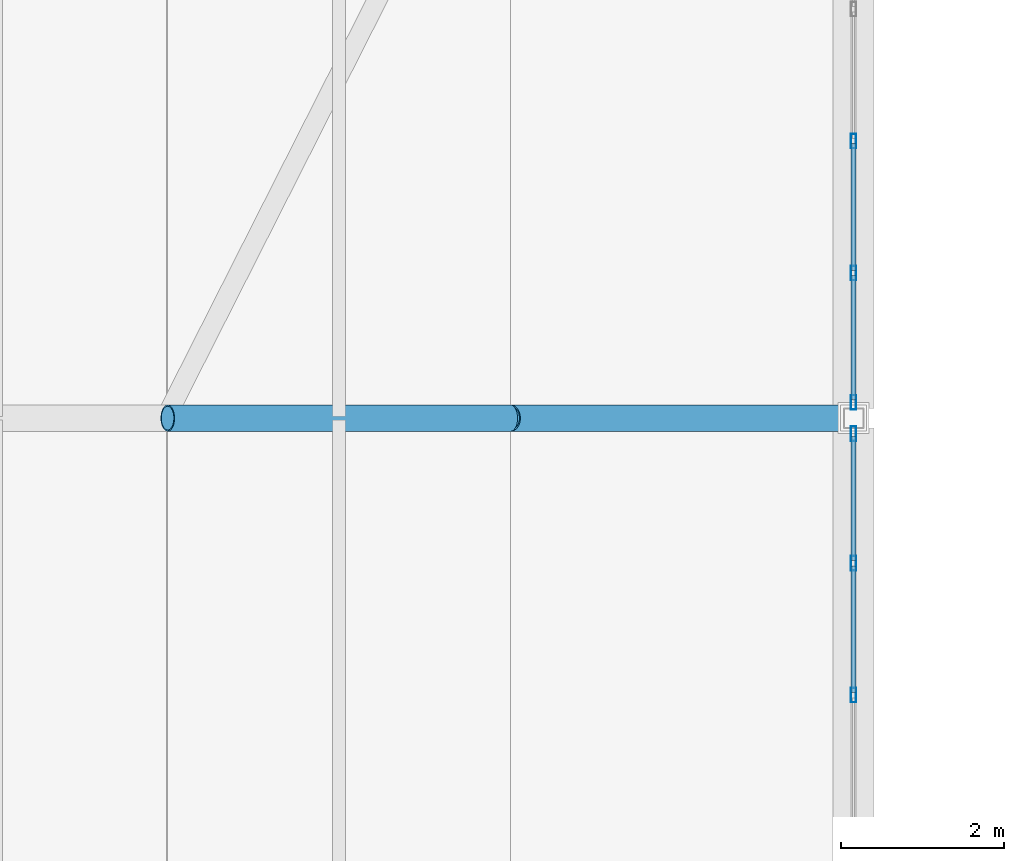
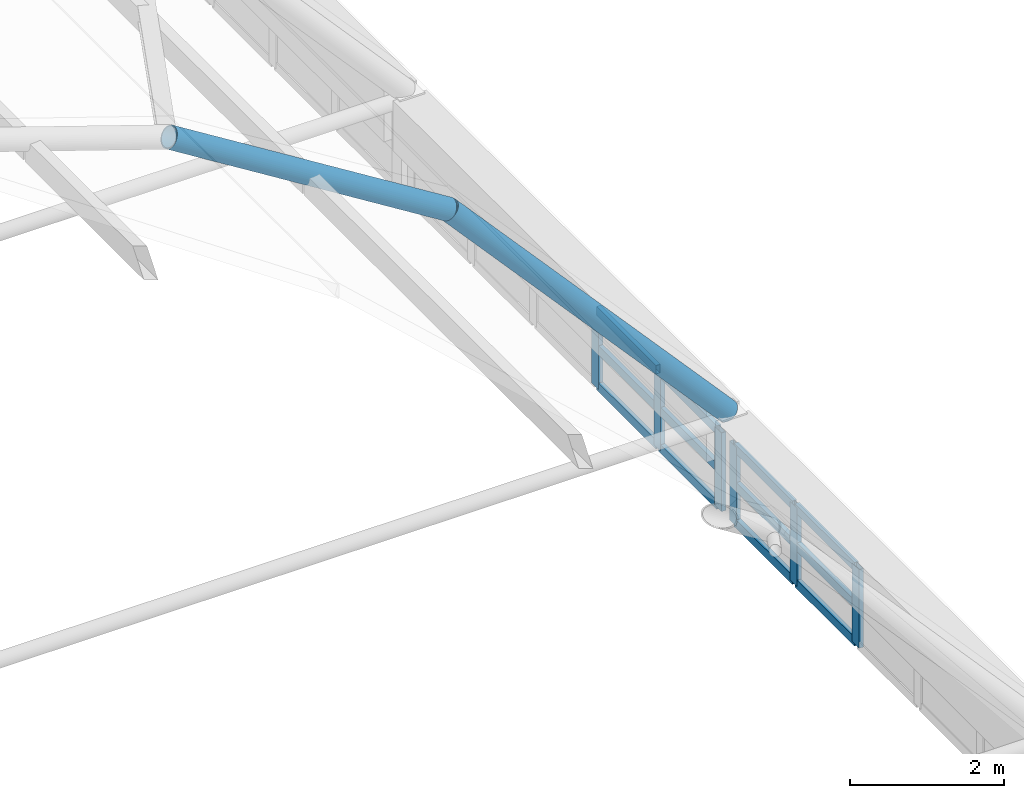
# One storey, part 67 of 114: 18 members, 2 beams, 2 elements without a shape of their own.
"""IFC4 building model written with IfcOpenShell, lengths in metres."""

from ifc_helpers import new_model, si_unit, direction, frame, origin, origin_2d, place, context, subcontext, project, spatial, hollow_rectangle, hollow_circle, extrude, material, layer, layer_set, material_profile, profile_set, type_object, element, aggregate, save


model = new_model("IFC4")

# Units and contexts
model_context = context("Model", 3, precision=1e-05, world=origin(), true_north=direction((0.0, 1.0)))
body_context = subcontext(model_context, "Body", "Model", "MODEL_VIEW")
ifc_project = project(units=[si_unit("LENGTHUNIT", "METRE"), si_unit("AREAUNIT", "SQUARE_METRE"), si_unit("VOLUMEUNIT", "CUBIC_METRE"), si_unit("PLANEANGLEUNIT", "RADIAN"), si_unit("MASSUNIT", "GRAM", prefix="KILO")], contexts=[model_context])

# Site, building, storey
site_placement = place(None, origin())
site = spatial("IfcSite", under=ifc_project, at=site_placement, CompositionType="ELEMENT")
building_placement = place(site_placement, origin())
building = spatial("IfcBuilding", under=site, at=building_placement, Name="Xazarin Passage Department Store", CompositionType="ELEMENT")
storey_placement = place(building_placement, frame((0.0, 0.0, 14.39990234375)))
storey = spatial("IfcBuildingStorey", under=building, at=storey_placement, Name="L03", CompositionType="ELEMENT", Elevation=14.39990234375)

# Curtain wall, members
ifc_material_1 = material(Name="Bronze anodised aluminium", Category="aluminium")
ifc_layer = layer(ifc_material_1, 0.159912109375)
ifc_layer_set = layer_set([ifc_layer], Name="Bronze anodised aluminium")
curtain_wall_type = type_object("IfcCurtainWallType", Name="ARC-CW-ARC1", PredefinedType="NOTDEFINED", material=ifc_layer_set)
curtain_wall_1_placement = place(storey_placement, origin())
curtain_wall_1 = element("IfcCurtainWall", 1, at=curtain_wall_1_placement, inside=storey, type_object=curtain_wall_type, Name="L03 V2N Galleria Clerestory Curtain Wall 2E", PredefinedType="NOTDEFINED")
ifc_material_profile_1 = material_profile(ifc_material_1, hollow_rectangle(XDim=0.06494140625, YDim=0.179931640625, WallThickness=0.00390625, at=origin_2d()), Name="ALU 65x180")
ifc_profile_set_1 = profile_set([ifc_material_profile_1], Name="Bronze anodised aluminium")
member_type_1 = type_object("IfcMemberType", Name="ARC-CWM-65x180", PredefinedType="MULLION", material=ifc_profile_set_1)
member_1_placement = place(storey_placement, frame((101.60009765625, 64.60791015625, 0.0), z_axis=(0.0, 0.0, 1.0), x_axis=(-1.0, 0.0, 0.0)))
member_1 = element("IfcMember", 2, at=member_1_placement, type_object=member_type_1, Name="CW3 mullion 4", PredefinedType="MULLION", context=body_context, shape_type="SweptSolid", body=[
    extrude(hollow_rectangle(XDim=0.06494140625, YDim=0.179931640625, WallThickness=0.00390625, at=origin_2d()), origin(), (0.0, 0.0, 1.0), 1.251708984375),
])
member_2_placement = place(storey_placement, frame((101.60009765625, 66.22412109375, 0.0), z_axis=(0.0, 0.0, 1.0), x_axis=(-1.0, 0.0, 0.0)))
member_2 = element("IfcMember", 3, at=member_2_placement, type_object=member_type_1, Name="CW3 mullion 5", PredefinedType="MULLION", context=body_context, shape_type="SweptSolid", body=[
    extrude(hollow_rectangle(XDim=0.06494140625, YDim=0.179931640625, WallThickness=0.00390625, at=origin_2d()), origin(), (0.0, 0.0, 1.0), 1.251708984375),
])
member_3_placement = place(storey_placement, frame((101.60009765625, 67.8076171875, 0.0), z_axis=(0.0, 0.0, 1.0), x_axis=(-1.0, 0.0, 0.0)))
member_3 = element("IfcMember", 4, at=member_3_placement, type_object=member_type_1, Name="CW3 mullion 6", PredefinedType="MULLION", context=body_context, shape_type="SweptSolid", body=[
    extrude(hollow_rectangle(XDim=0.06494140625, YDim=0.179931640625, WallThickness=0.00390625, at=origin_2d()), origin(), (0.0, 0.0, 1.0), 1.251708984375),
])

curtain_wall_2_placement = place(storey_placement, origin())
curtain_wall_2 = element("IfcCurtainWall", 5, at=curtain_wall_2_placement, inside=storey, type_object=curtain_wall_type, Name="L03 V2N Galleria Clerestory Curtain Wall 3E", PredefinedType="NOTDEFINED")
member_4_placement = place(storey_placement, frame((101.60009765625, 68.1923828125, 0.0), z_axis=(0.0, 0.0, 1.0), x_axis=(-1.0, 0.0, 0.0)))
member_4 = element("IfcMember", 6, at=member_4_placement, type_object=member_type_1, Name="CW3 mullion 1", PredefinedType="MULLION", context=body_context, shape_type="SweptSolid", body=[
    extrude(hollow_rectangle(XDim=0.06494140625, YDim=0.179931640625, WallThickness=0.00390625, at=origin_2d()), origin(), (0.0, 0.0, 1.0), 1.251708984375),
])
member_5_placement = place(storey_placement, frame((101.60009765625, 69.77587890625, 0.0), z_axis=(0.0, 0.0, 1.0), x_axis=(-1.0, 0.0, 0.0)))
member_5 = element("IfcMember", 7, at=member_5_placement, type_object=member_type_1, Name="CW3 mullion 2", PredefinedType="MULLION", context=body_context, shape_type="SweptSolid", body=[
    extrude(hollow_rectangle(XDim=0.06494140625, YDim=0.179931640625, WallThickness=0.00390625, at=origin_2d()), origin(), (0.0, 0.0, 1.0), 1.251708984375),
])
member_6_placement = place(storey_placement, frame((101.60009765625, 71.39208984375, 0.0), z_axis=(0.0, 0.0, 1.0), x_axis=(-1.0, 0.0, 0.0)))
member_6 = element("IfcMember", 8, at=member_6_placement, type_object=member_type_1, Name="CW3 mullion 3", PredefinedType="MULLION", context=body_context, shape_type="SweptSolid", body=[
    extrude(hollow_rectangle(XDim=0.06494140625, YDim=0.179931640625, WallThickness=0.00390625, at=origin_2d()), origin(), (0.0, 0.0, 1.0), 1.251708984375),
])

# Member
ifc_material_profile_2 = material_profile(ifc_material_1, hollow_rectangle(XDim=0.06494140625, YDim=0.139892578125, WallThickness=0.00390625, at=origin_2d()), Name="ALU 65x140")
ifc_profile_set_2 = profile_set([ifc_material_profile_2], Name="Bronze anodised aluminium")
member_type_2 = type_object("IfcMemberType", Name="ARC-CWT-65x140", PredefinedType="USERDEFINED", material=ifc_profile_set_2)
member_7_placement = place(storey_placement, frame((101.60009765625, 64.640380859375, 0.03271484375), z_axis=(0.0, 1.0, 0.0), x_axis=(-1.0, 0.0, 0.0)))
member_7 = element("IfcMember", 9, at=member_7_placement, type_object=member_type_2, Name="CW3 transom 4.1", ObjectType="TRANSOM", PredefinedType="USERDEFINED", context=body_context, shape_type="SweptSolid", body=[
    extrude(hollow_rectangle(XDim=0.06494140625, YDim=0.139892578125, WallThickness=0.00390625, at=origin_2d()), origin(), (0.0, 0.0, 1.0), 1.551025390625),
])

member_8_placement = place(storey_placement, frame((101.60009765625, 64.640380859375, 0.6259765625), z_axis=(0.0, 1.0, 0.0), x_axis=(-1.0, 0.0, 0.0)))
member_8 = element("IfcMember", 10, at=member_8_placement, type_object=member_type_2, Name="CW3 transom 4.2", ObjectType="TRANSOM", PredefinedType="USERDEFINED", context=body_context, shape_type="SweptSolid", body=[
    extrude(hollow_rectangle(XDim=0.06494140625, YDim=0.139892578125, WallThickness=0.00390625, at=origin_2d()), origin(), (0.0, 0.0, 1.0), 1.551025390625),
])

member_9_placement = place(storey_placement, frame((101.60009765625, 64.640380859375, 1.21923828125), z_axis=(0.0, 1.0, 0.0), x_axis=(-1.0, 0.0, 0.0)))
member_9 = element("IfcMember", 11, at=member_9_placement, type_object=member_type_2, Name="CW3 transom 4.3", ObjectType="TRANSOM", PredefinedType="USERDEFINED", context=body_context, shape_type="SweptSolid", body=[
    extrude(hollow_rectangle(XDim=0.06494140625, YDim=0.139892578125, WallThickness=0.00390625, at=origin_2d()), origin(), (0.0, 0.0, 1.0), 1.551025390625),
])

member_10_placement = place(storey_placement, frame((101.60009765625, 66.256591796875, 0.03271484375), z_axis=(0.0, 1.0, 0.0), x_axis=(-1.0, 0.0, 0.0)))
member_10 = element("IfcMember", 12, at=member_10_placement, type_object=member_type_2, Name="CW3 transom 5.1", ObjectType="TRANSOM", PredefinedType="USERDEFINED", context=body_context, shape_type="SweptSolid", body=[
    extrude(hollow_rectangle(XDim=0.06494140625, YDim=0.139892578125, WallThickness=0.00390625, at=origin_2d()), origin(), (0.0, 0.0, 1.0), 1.518310546875),
])

member_11_placement = place(storey_placement, frame((101.60009765625, 66.256591796875, 0.6259765625), z_axis=(0.0, 1.0, 0.0), x_axis=(-1.0, 0.0, 0.0)))
member_11 = element("IfcMember", 13, at=member_11_placement, type_object=member_type_2, Name="CW3 transom 5.2", ObjectType="TRANSOM", PredefinedType="USERDEFINED", context=body_context, shape_type="SweptSolid", body=[
    extrude(hollow_rectangle(XDim=0.06494140625, YDim=0.139892578125, WallThickness=0.00390625, at=origin_2d()), origin(), (0.0, 0.0, 1.0), 1.518310546875),
])

member_12_placement = place(storey_placement, frame((101.60009765625, 66.256591796875, 1.21923828125), z_axis=(0.0, 1.0, 0.0), x_axis=(-1.0, 0.0, 0.0)))
member_12 = element("IfcMember", 14, at=member_12_placement, type_object=member_type_2, Name="CW3 transom 5.3", ObjectType="TRANSOM", PredefinedType="USERDEFINED", context=body_context, shape_type="SweptSolid", body=[
    extrude(hollow_rectangle(XDim=0.06494140625, YDim=0.139892578125, WallThickness=0.00390625, at=origin_2d()), origin(), (0.0, 0.0, 1.0), 1.518310546875),
])

aggregate(curtain_wall_1, [member_1, member_2, member_3, member_7, member_8, member_9, member_10, member_11, member_12])

member_13_placement = place(storey_placement, frame((101.60009765625, 68.22509765625, 0.03271484375), z_axis=(0.0, 1.0, 0.0), x_axis=(-1.0, 0.0, 0.0)))
member_13 = element("IfcMember", 15, at=member_13_placement, type_object=member_type_2, Name="CW3 transom 1.1", ObjectType="TRANSOM", PredefinedType="USERDEFINED", context=body_context, shape_type="SweptSolid", body=[
    extrude(hollow_rectangle(XDim=0.06494140625, YDim=0.139892578125, WallThickness=0.00390625, at=origin_2d()), origin(), (0.0, 0.0, 1.0), 1.518310546875),
])

member_14_placement = place(storey_placement, frame((101.60009765625, 68.22509765625, 0.6259765625), z_axis=(0.0, 1.0, 0.0), x_axis=(-1.0, 0.0, 0.0)))
member_14 = element("IfcMember", 16, at=member_14_placement, type_object=member_type_2, Name="CW3 transom 1.2", ObjectType="TRANSOM", PredefinedType="USERDEFINED", context=body_context, shape_type="SweptSolid", body=[
    extrude(hollow_rectangle(XDim=0.06494140625, YDim=0.139892578125, WallThickness=0.00390625, at=origin_2d()), origin(), (0.0, 0.0, 1.0), 1.518310546875),
])

member_15_placement = place(storey_placement, frame((101.60009765625, 68.22509765625, 1.21923828125), z_axis=(0.0, 1.0, 0.0), x_axis=(-1.0, 0.0, 0.0)))
member_15 = element("IfcMember", 17, at=member_15_placement, type_object=member_type_2, Name="CW3 transom 1.3", ObjectType="TRANSOM", PredefinedType="USERDEFINED", context=body_context, shape_type="SweptSolid", body=[
    extrude(hollow_rectangle(XDim=0.06494140625, YDim=0.139892578125, WallThickness=0.00390625, at=origin_2d()), origin(), (0.0, 0.0, 1.0), 1.518310546875),
])

member_16_placement = place(storey_placement, frame((101.60009765625, 69.80859375, 0.03271484375), z_axis=(0.0, 1.0, 0.0), x_axis=(-1.0, 0.0, 0.0)))
member_16 = element("IfcMember", 18, at=member_16_placement, type_object=member_type_2, Name="CW3 transom 2.1", ObjectType="TRANSOM", PredefinedType="USERDEFINED", context=body_context, shape_type="SweptSolid", body=[
    extrude(hollow_rectangle(XDim=0.06494140625, YDim=0.139892578125, WallThickness=0.00390625, at=origin_2d()), origin(), (0.0, 0.0, 1.0), 1.551025390625),
])

member_17_placement = place(storey_placement, frame((101.60009765625, 69.80859375, 0.6259765625), z_axis=(0.0, 1.0, 0.0), x_axis=(-1.0, 0.0, 0.0)))
member_17 = element("IfcMember", 19, at=member_17_placement, type_object=member_type_2, Name="CW3 transom 2.2", ObjectType="TRANSOM", PredefinedType="USERDEFINED", context=body_context, shape_type="SweptSolid", body=[
    extrude(hollow_rectangle(XDim=0.06494140625, YDim=0.139892578125, WallThickness=0.00390625, at=origin_2d()), origin(), (0.0, 0.0, 1.0), 1.551025390625),
])

member_18_placement = place(storey_placement, frame((101.60009765625, 69.80859375, 1.21923828125), z_axis=(0.0, 1.0, 0.0), x_axis=(-1.0, 0.0, 0.0)))
member_18 = element("IfcMember", 20, at=member_18_placement, type_object=member_type_2, Name="CW3 transom 2.3", ObjectType="TRANSOM", PredefinedType="USERDEFINED", context=body_context, shape_type="SweptSolid", body=[
    extrude(hollow_rectangle(XDim=0.06494140625, YDim=0.139892578125, WallThickness=0.00390625, at=origin_2d()), origin(), (0.0, 0.0, 1.0), 1.551025390625),
])

aggregate(curtain_wall_2, [member_4, member_5, member_6, member_13, member_14, member_15, member_16, member_17, member_18])

# Beams
ifc_material_2 = material(Name="Steel S355", Category="steel")
ifc_material_profile_3 = material_profile(ifc_material_2, hollow_circle(Radius=0.161865234375, WallThickness=0.01611328125, at=origin_2d()), Name="CHS 323.9x16")
ifc_profile_set_3 = profile_set([ifc_material_profile_3], Name="Steel S355")
beam_type = type_object("IfcBeamType", Name="STR-BM-AR324", PredefinedType="BEAM", material=ifc_profile_set_3)
beam_1_placement = place(storey_placement, frame((93.199951171875, 68.0, 8.95068359375), z_axis=(0.848571440894, 0.0, -0.529080815848), x_axis=(0.0, 1.0, 0.0)))
element("IfcBeam", 21, at=beam_1_placement, inside=storey, type_object=beam_type, Name="V2N Primary Arch Rib 3.7", PredefinedType="BEAM", context=body_context, shape_type="SweptSolid", body=[
    extrude(hollow_circle(Radius=0.161865234375, WallThickness=0.01611328125, at=origin_2d()), origin(), (0.0, 0.0, 1.0), 4.949462890625),
])
beam_2_placement = place(storey_placement, frame((97.39990234375, 68.0, 6.33203125), z_axis=(0.667913050078, 0.0, -0.744239314694), x_axis=(0.0, 1.0, 0.0)))
element("IfcBeam", 22, at=beam_2_placement, inside=storey, type_object=beam_type, Name="V2N Primary Arch Rib 3.8", PredefinedType="BEAM", context=body_context, shape_type="SweptSolid", body=[
    extrude(hollow_circle(Radius=0.161865234375, WallThickness=0.01611328125, at=origin_2d()), origin(), (0.0, 0.0, 1.0), 6.28857421875),
])

save(model, "model.ifc")
